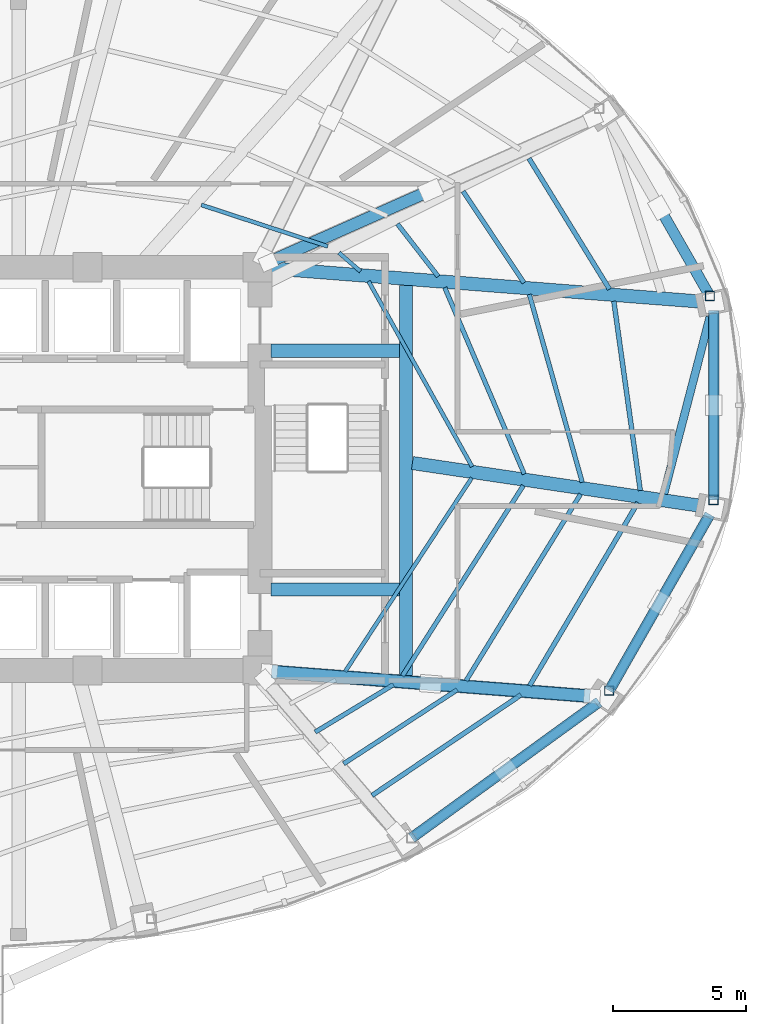
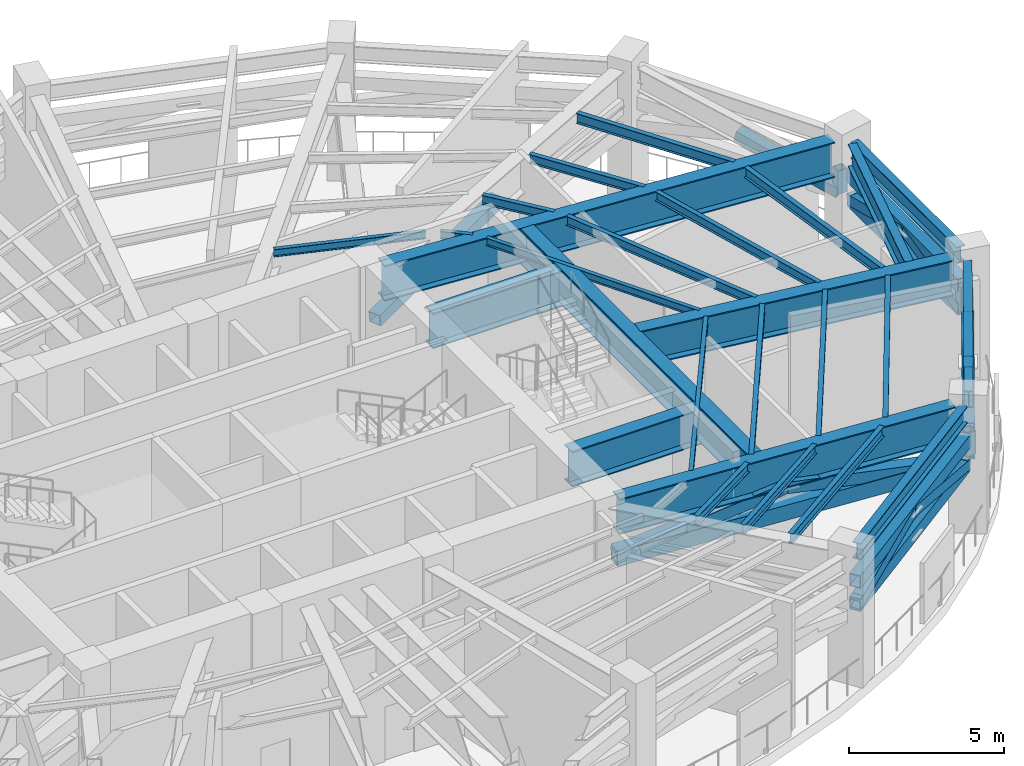
# One storey, part 4 of 14: 26 beams, 20 members.
"""IFC4 building model written with IfcOpenShell, lengths in metres."""

from ifc_helpers import new_model, si_unit, direction, frame, origin, origin_2d, place, context, subcontext, project, spatial, hollow_rectangle, i_section, extrude, material, material_profile, profile_set, type_object, element, save


model = new_model("IFC4")

# Units and contexts
model_context = context("Model", 3, precision=1e-05, world=origin(), true_north=direction((0.0, 1.0)))
body_context = subcontext(model_context, "Body", "Model", "MODEL_VIEW")
ifc_project = project(units=[si_unit("LENGTHUNIT", "METRE"), si_unit("AREAUNIT", "SQUARE_METRE"), si_unit("VOLUMEUNIT", "CUBIC_METRE"), si_unit("PLANEANGLEUNIT", "RADIAN"), si_unit("MASSUNIT", "GRAM", prefix="KILO")], contexts=[model_context])

# Site, building, storey
site_placement = place(None, origin())
site = spatial("IfcSite", under=ifc_project, at=site_placement, CompositionType="ELEMENT")
building_placement = place(site_placement, origin())
building = spatial("IfcBuilding", under=site, at=building_placement, Name="Lazwardi Medical Tower", CompositionType="ELEMENT")
storey_placement = place(building_placement, frame((0.0, 0.0, 76.27197265625)))
storey = spatial("IfcBuildingStorey", under=building, at=storey_placement, Name="L19", CompositionType="ELEMENT", Elevation=76.27197265625)

# Beams
ifc_material_1 = material(Name="Steel S460", Category="steel")
ifc_material_profile_1 = material_profile(ifc_material_1, i_section(OverallWidth=0.300048828125, OverallDepth=0.89990234375, WebThickness=0.0185546875, FlangeThickness=0.034912109375, at=origin_2d()), Name="HEB 900")
ifc_profile_set_1 = profile_set([ifc_material_profile_1], Name="Steel S460")
beam_type_1 = type_object("IfcBeamType", Name="BM-HB-01", PredefinedType="BEAM", material=ifc_profile_set_1)
beam_1_placement = place(storey_placement, frame((60.924560546875, 27.05712890625, 4.572021484375), z_axis=(0.251712176718, 0.967802138917, 0.0), x_axis=(-0.967802138917, 0.251712176718, 0.0)))
element("IfcBeam", 1, at=beam_1_placement, inside=storey, type_object=beam_type_1, Name="Transfer girder tie HB-01 M04 L19", PredefinedType="BEAM", context=body_context, shape_type="SweptSolid", body=[
    extrude(i_section(OverallWidth=0.300048828125, OverallDepth=0.89990234375, WebThickness=0.0185546875, FlangeThickness=0.034912109375, at=origin_2d()), origin(), (0.0, 0.0, 1.0), 6.890380859375),
])
ifc_material_2 = material(Name="Steel S355", Category="steel")
ifc_material_profile_2 = material_profile(ifc_material_2, i_section(OverallWidth=0.300048828125, OverallDepth=0.64990234375, WebThickness=0.01611328125, FlangeThickness=0.031005859375, at=origin_2d()), Name="HEB 650")
ifc_profile_set_2 = profile_set([ifc_material_profile_2], Name="Steel S355")
beam_type_2 = type_object("IfcBeamType", Name="BM-RB-Z1", PredefinedType="BEAM", material=ifc_profile_set_2)
beam_2_placement = place(storey_placement, frame((51.52099609375, 14.16259765625, 4.697021484375), z_axis=(0.80939338516, 0.5872668457, 0.0), x_axis=(-0.5872668457, 0.80939338516, 0.0)))
element("IfcBeam", 2, at=beam_2_placement, inside=storey, type_object=beam_type_2, Name="Ring beam RB-02 B02 L19", PredefinedType="BEAM", context=body_context, shape_type="SweptSolid", body=[
    extrude(i_section(OverallWidth=0.300048828125, OverallDepth=0.64990234375, WebThickness=0.01611328125, FlangeThickness=0.031005859375, at=origin_2d()), origin(), (0.0, 0.0, 1.0), 8.47412109375),
])
beam_3_placement = place(storey_placement, frame((58.927978515625, 19.75048828125, 4.697021484375), z_axis=(0.495829348644, 0.868419977328, 0.0), x_axis=(-0.868419977328, 0.495829348644, 0.0)))
element("IfcBeam", 3, at=beam_3_placement, inside=storey, type_object=beam_type_2, Name="Ring beam RB-02 B03 L19", PredefinedType="BEAM", context=body_context, shape_type="SweptSolid", body=[
    extrude(i_section(OverallWidth=0.300048828125, OverallDepth=0.64990234375, WebThickness=0.01611328125, FlangeThickness=0.031005859375, at=origin_2d()), origin(), (0.0, 0.0, 1.0), 7.38916015625),
])
beam_4_placement = place(storey_placement, frame((62.800048828125, 26.952392578125, 4.697021484375), z_axis=(0.0, 1.0, 0.0), x_axis=(-1.0, 0.0, 0.0)))
element("IfcBeam", 4, at=beam_4_placement, inside=storey, type_object=beam_type_2, Name="Ring beam RB-02 B04 L19", PredefinedType="BEAM", context=body_context, shape_type="SweptSolid", body=[
    extrude(i_section(OverallWidth=0.300048828125, OverallDepth=0.64990234375, WebThickness=0.01611328125, FlangeThickness=0.031005859375, at=origin_2d()), origin(), (0.0, 0.0, 1.0), 6.895263671875),
])
ifc_material_profile_3 = material_profile(ifc_material_2, i_section(OverallWidth=0.179931640625, OverallDepth=0.39990234375, WebThickness=0.008544921875, FlangeThickness=0.013427734375, at=origin_2d()), Name="IPE 400")
ifc_profile_set_3 = profile_set([ifc_material_profile_3], Name="Steel S355")
beam_type_3 = type_object("IfcBeamType", Name="BM-SJ-01", PredefinedType="JOIST", material=ifc_profile_set_3)
beam_5_placement = place(storey_placement, frame((49.92333984375, 15.685791015625, 4.822021484375), z_axis=(0.828580384616, 0.559870115499, 0.0), x_axis=(-0.559870115499, 0.828580384616, 0.0)))
element("IfcBeam", 5, at=beam_5_placement, inside=storey, type_object=beam_type_3, Name="Secondary joist SJ-01 R1 B02 L19", PredefinedType="JOIST", context=body_context, shape_type="SweptSolid", body=[
    extrude(i_section(OverallWidth=0.179931640625, OverallDepth=0.39990234375, WebThickness=0.008544921875, FlangeThickness=0.013427734375, at=origin_2d()), origin(), (0.0, 0.0, 1.0), 6.775146484375),
])
beam_6_placement = place(storey_placement, frame((55.86474609375, 19.826904296875, 4.822021484375), z_axis=(0.509025810661, 0.860751255637, 0.0), x_axis=(-0.860751255637, 0.509025810661, 0.0)))
element("IfcBeam", 6, at=beam_6_placement, inside=storey, type_object=beam_type_3, Name="Secondary joist SJ-01 R1 B03 L19", PredefinedType="JOIST", context=body_context, shape_type="SweptSolid", body=[
    extrude(i_section(OverallWidth=0.179931640625, OverallDepth=0.39990234375, WebThickness=0.008544921875, FlangeThickness=0.013427734375, at=origin_2d()), origin(), (0.0, 0.0, 1.0), 8.016357421875),
])
beam_7_placement = place(storey_placement, frame((60.0361328125, 27.180419921875, 4.822021484375), z_axis=(-0.13846181451, 0.990367773063, 0.0), x_axis=(-0.990367773063, -0.13846181451, 0.0)))
element("IfcBeam", 7, at=beam_7_placement, inside=storey, type_object=beam_type_3, Name="Secondary joist SJ-01 R1 B04 L19", PredefinedType="JOIST", context=body_context, shape_type="SweptSolid", body=[
    extrude(i_section(OverallWidth=0.179931640625, OverallDepth=0.39990234375, WebThickness=0.008544921875, FlangeThickness=0.013427734375, at=origin_2d()), origin(), (0.0, 0.0, 1.0), 7.2080078125),
])
beam_8_placement = place(storey_placement, frame((58.87548828125, 34.7705078125, 4.822021484375), z_axis=(-0.524156210231, 0.85162213879, 0.0), x_axis=(-0.85162213879, -0.524156210231, 0.0)))
element("IfcBeam", 8, at=beam_8_placement, inside=storey, type_object=beam_type_3, Name="Secondary joist SJ-01 R1 B05 L19", PredefinedType="JOIST", context=body_context, shape_type="SweptSolid", body=[
    extrude(i_section(OverallWidth=0.179931640625, OverallDepth=0.39990234375, WebThickness=0.008544921875, FlangeThickness=0.013427734375, at=origin_2d()), origin(), (0.0, 0.0, 1.0), 5.79296875),
])
ifc_material_profile_4 = material_profile(ifc_material_2, i_section(OverallWidth=0.169921875, OverallDepth=0.360107421875, WebThickness=0.008056640625, FlangeThickness=0.0126953125, at=origin_2d()), Name="IPE 360")
ifc_profile_set_4 = profile_set([ifc_material_profile_4], Name="Steel S355")
beam_type_4 = type_object("IfcBeamType", Name="BM-SJ-02", PredefinedType="JOIST", material=ifc_profile_set_4)
beam_9_placement = place(storey_placement, frame((48.851806640625, 16.882568359375, 4.842041015625), z_axis=(0.838190169756, 0.54537807008, 0.0), x_axis=(-0.54537807008, 0.838190169756, 0.0)))
element("IfcBeam", 9, at=beam_9_placement, inside=storey, type_object=beam_type_4, Name="Secondary joist SJ-02 R2 B02 L19", PredefinedType="JOIST", context=body_context, shape_type="SweptSolid", body=[
    extrude(i_section(OverallWidth=0.169921875, OverallDepth=0.360107421875, WebThickness=0.008056640625, FlangeThickness=0.0126953125, at=origin_2d()), origin(), (0.0, 0.0, 1.0), 5.107666015625),
])
beam_10_placement = place(storey_placement, frame((53.466552734375, 20.010498046875, 4.842041015625), z_axis=(0.523000112605, 0.852332612432, 0.0), x_axis=(-0.852332612432, 0.523000112605, 0.0)))
element("IfcBeam", 10, at=beam_10_placement, inside=storey, type_object=beam_type_4, Name="Secondary joist SJ-02 R2 B03 L19", PredefinedType="JOIST", context=body_context, shape_type="SweptSolid", body=[
    extrude(i_section(OverallWidth=0.169921875, OverallDepth=0.360107421875, WebThickness=0.008056640625, FlangeThickness=0.0126953125, at=origin_2d()), origin(), (0.0, 0.0, 1.0), 8.25830078125),
])
beam_11_placement = place(storey_placement, frame((57.847412109375, 27.493896484375, 4.842041015625), z_axis=(-0.271125161426, 0.962544101245, 0.0), x_axis=(-0.962544101245, -0.271125161426, 0.0)))
element("IfcBeam", 11, at=beam_11_placement, inside=storey, type_object=beam_type_4, Name="Secondary joist SJ-02 R2 B04 L19", PredefinedType="JOIST", context=body_context, shape_type="SweptSolid", body=[
    extrude(i_section(OverallWidth=0.169921875, OverallDepth=0.360107421875, WebThickness=0.008056640625, FlangeThickness=0.0126953125, at=origin_2d()), origin(), (0.0, 0.0, 1.0), 7.35693359375),
])
beam_12_placement = place(storey_placement, frame((55.650634765625, 35.014892578125, 4.842041015625), z_axis=(-0.553666521135, 0.832738484384, 0.0), x_axis=(-0.832738484384, -0.553666521135, 0.0)))
element("IfcBeam", 12, at=beam_12_placement, inside=storey, type_object=beam_type_4, Name="Secondary joist SJ-02 R2 B05 L19", PredefinedType="JOIST", context=body_context, shape_type="SweptSolid", body=[
    extrude(i_section(OverallWidth=0.169921875, OverallDepth=0.360107421875, WebThickness=0.008056640625, FlangeThickness=0.0126953125, at=origin_2d()), origin(), (0.0, 0.0, 1.0), 4.14404296875),
])
beam_13_placement = place(storey_placement, frame((47.781982421875, 18.076416015625, 4.842041015625), z_axis=(0.85528924309, 0.518150857043, 0.0), x_axis=(-0.518150857043, 0.85528924309, 0.0)))
element("IfcBeam", 13, at=beam_13_placement, inside=storey, type_object=beam_type_4, Name="Secondary joist SJ-02 R3 B02 L19", PredefinedType="JOIST", context=body_context, shape_type="SweptSolid", body=[
    extrude(i_section(OverallWidth=0.169921875, OverallDepth=0.360107421875, WebThickness=0.008056640625, FlangeThickness=0.0126953125, at=origin_2d()), origin(), (0.0, 0.0, 1.0), 3.443359375),
])
beam_14_placement = place(storey_placement, frame((51.068115234375, 20.1943359375, 4.842041015625), z_axis=(0.536089341696, 0.844161251018, 0.0), x_axis=(-0.844161251018, 0.536089341696, 0.0)))
element("IfcBeam", 14, at=beam_14_placement, inside=storey, type_object=beam_type_4, Name="Secondary joist SJ-02 R3 B03 L19", PredefinedType="JOIST", context=body_context, shape_type="SweptSolid", body=[
    extrude(i_section(OverallWidth=0.169921875, OverallDepth=0.360107421875, WebThickness=0.008056640625, FlangeThickness=0.0126953125, at=origin_2d()), origin(), (0.0, 0.0, 1.0), 8.50244140625),
])
beam_15_placement = place(storey_placement, frame((55.66162109375, 27.803955078125, 4.842041015625), z_axis=(-0.392110405945, 0.919918164594, 0.0), x_axis=(-0.919918164594, -0.392110405945, 0.0)))
element("IfcBeam", 15, at=beam_15_placement, inside=storey, type_object=beam_type_4, Name="Secondary joist SJ-02 R3 B04 L19", PredefinedType="JOIST", context=body_context, shape_type="SweptSolid", body=[
    extrude(i_section(OverallWidth=0.169921875, OverallDepth=0.360107421875, WebThickness=0.008056640625, FlangeThickness=0.0126953125, at=origin_2d()), origin(), (0.0, 0.0, 1.0), 7.642822265625),
])
beam_16_placement = place(storey_placement, frame((52.41845703125, 35.253662109375, 4.842041015625), z_axis=(-0.613455049329, 0.789729638834, 0.0), x_axis=(-0.789729638834, -0.613455049329, 0.0)))
element("IfcBeam", 16, at=beam_16_placement, inside=storey, type_object=beam_type_4, Name="Secondary joist SJ-02 R3 B05 L19", PredefinedType="JOIST", context=body_context, shape_type="SweptSolid", body=[
    extrude(i_section(OverallWidth=0.169921875, OverallDepth=0.360107421875, WebThickness=0.008056640625, FlangeThickness=0.0126953125, at=origin_2d()), origin(), (0.0, 0.0, 1.0), 2.5068359375),
])
ifc_material_profile_5 = material_profile(ifc_material_2, i_section(OverallWidth=0.14990234375, OverallDepth=0.300048828125, WebThickness=0.007080078125, FlangeThickness=0.0107421875, at=origin_2d()), Name="IPE 300")
ifc_profile_set_5 = profile_set([ifc_material_profile_5], Name="Steel S355")
beam_type_5 = type_object("IfcBeamType", Name="BM-SJ-03", PredefinedType="JOIST", material=ifc_profile_set_5)
beam_17_placement = place(storey_placement, frame((48.9091796875, 20.359619140625, 4.8720703125), z_axis=(0.547179994461, 0.837014966211, 0.0), x_axis=(-0.837014966211, 0.547179994461, 0.0)))
element("IfcBeam", 17, at=beam_17_placement, inside=storey, type_object=beam_type_5, Name="Secondary joist SJ-03 R4 B03 L19", PredefinedType="JOIST", context=body_context, shape_type="SweptSolid", body=[
    extrude(i_section(OverallWidth=0.14990234375, OverallDepth=0.300048828125, WebThickness=0.007080078125, FlangeThickness=0.0107421875, at=origin_2d()), origin(), (0.0, 0.0, 1.0), 8.72412109375),
])
beam_18_placement = place(storey_placement, frame((53.697509765625, 28.080810546875, 4.8720703125), z_axis=(-0.487735931958, 0.872991214547, 0.0), x_axis=(-0.872991214547, -0.487735931958, 0.0)))
element("IfcBeam", 18, at=beam_18_placement, inside=storey, type_object=beam_type_5, Name="Secondary joist SJ-03 R4 B04 L19", PredefinedType="JOIST", context=body_context, shape_type="SweptSolid", body=[
    extrude(i_section(OverallWidth=0.14990234375, OverallDepth=0.300048828125, WebThickness=0.007080078125, FlangeThickness=0.0107421875, at=origin_2d()), origin(), (0.0, 0.0, 1.0), 8.0068359375),
])
beam_19_placement = place(storey_placement, frame((49.487548828125, 35.44482421875, 4.8720703125), z_axis=(-0.756250796408, 0.65428184518, 0.0), x_axis=(-0.65428184518, -0.756250796408, 0.0)))
element("IfcBeam", 19, at=beam_19_placement, inside=storey, type_object=beam_type_5, Name="Secondary joist SJ-03 R4 B05 L19", PredefinedType="JOIST", context=body_context, shape_type="SweptSolid", body=[
    extrude(i_section(OverallWidth=0.14990234375, OverallDepth=0.300048828125, WebThickness=0.007080078125, FlangeThickness=0.0107421875, at=origin_2d()), origin(), (0.0, 0.0, 1.0), 1.074951171875),
])
beam_20_placement = place(storey_placement, frame((48.25634765625, 36.385009765625, 4.8720703125), z_axis=(-0.950123227602, 0.31187473827, 0.0), x_axis=(-0.31187473827, -0.950123227602, 0.0)))
element("IfcBeam", 20, at=beam_20_placement, inside=storey, type_object=beam_type_5, Name="Secondary joist SJ-03 R4 B06 L19", PredefinedType="JOIST", context=body_context, shape_type="SweptSolid", body=[
    extrude(i_section(OverallWidth=0.14990234375, OverallDepth=0.300048828125, WebThickness=0.007080078125, FlangeThickness=0.0107421875, at=origin_2d()), origin(), (0.0, 0.0, 1.0), 5.017822265625),
])
ifc_material_profile_6 = material_profile(ifc_material_1, i_section(OverallWidth=0.5, OverallDepth=1.39990234375, WebThickness=0.028076171875, FlangeThickness=0.044921875, at=origin_2d()), Name="PG 1400x500")
ifc_profile_set_6 = profile_set([ifc_material_profile_6], Name="Steel S460")
beam_type_6 = type_object("IfcBeamType", Name="BM-TG-01", PredefinedType="BEAM", material=ifc_profile_set_6)
beam_21_placement = place(storey_placement, frame((58.1416015625, 19.430419921875, 4.322021484375), z_axis=(-0.997024241118, 0.077088667283, 0.0), x_axis=(-0.077088667283, -0.997024241118, 0.0)))
element("IfcBeam", 21, at=beam_21_placement, inside=storey, type_object=beam_type_6, Name="Transfer girder TG-01 M03 L19", PredefinedType="BEAM", context=body_context, shape_type="SweptSolid", body=[
    extrude(i_section(OverallWidth=0.5, OverallDepth=1.39990234375, WebThickness=0.028076171875, FlangeThickness=0.044921875, at=origin_2d()), origin(), (0.0, 0.0, 1.0), 12.044189453125),
])
beam_22_placement = place(storey_placement, frame((62.2216796875, 34.3125, 4.322021484375), z_axis=(-0.997013942066, 0.077221754231, 0.0), x_axis=(-0.077221754231, -0.997013942066, 0.0)))
element("IfcBeam", 22, at=beam_22_placement, inside=storey, type_object=beam_type_6, Name="Transfer girder TG-01 M05 L19", PredefinedType="BEAM", context=body_context, shape_type="SweptSolid", body=[
    extrude(i_section(OverallWidth=0.5, OverallDepth=1.39990234375, WebThickness=0.028076171875, FlangeThickness=0.044921875, at=origin_2d()), origin(), (0.0, 0.0, 1.0), 16.136474609375),
])
beam_23_placement = place(storey_placement, frame((51.199951171875, 20.212158203125, 4.322021484375), z_axis=(0.0, 1.0, 0.0), x_axis=(-1.0, 0.0, 0.0)))
element("IfcBeam", 23, at=beam_23_placement, inside=storey, type_object=beam_type_6, Name="Transfer girder TG-01 ST3E L19", PredefinedType="BEAM", context=body_context, shape_type="SweptSolid", body=[
    extrude(i_section(OverallWidth=0.5, OverallDepth=1.39990234375, WebThickness=0.028076171875, FlangeThickness=0.044921875, at=origin_2d()), origin(), (0.0, 0.0, 1.0), 14.708984375),
])
for number, where, z_axis, x_axis, name in (
    (24, (46.1201171875, 23.449951171875, 4.322021484375), (1.0, 0.0, 0.0), (0.0, 1.0, 0.0), "Transfer girder TG-01 ST3S L19"),
    (25, (46.1201171875, 32.449951171875, 4.322021484375), (1.0, 0.0, 0.0), (0.0, 1.0, 0.0), "Transfer girder TG-01 ST3N L19"),
):
    element("IfcBeam", number, at=place(storey_placement, frame(where, z_axis=z_axis, x_axis=x_axis)), inside=storey, type_object=beam_type_6, Name=name, PredefinedType="BEAM", context=body_context, shape_type="SweptSolid", body=[
        extrude(i_section(OverallWidth=0.5, OverallDepth=1.39990234375, WebThickness=0.028076171875, FlangeThickness=0.044921875, at=origin_2d()), origin(), (0.0, 0.0, 1.0), 4.8349609375),
    ])
beam_24_placement = place(storey_placement, frame((62.226318359375, 26.617431640625, 4.322021484375), z_axis=(-0.989142403191, 0.146960219822, 0.0), x_axis=(-0.146960219822, -0.989142403191, 0.0)))
element("IfcBeam", 26, at=beam_24_placement, inside=storey, type_object=beam_type_6, Name="Transfer girder TG-01 M04 L19", PredefinedType="BEAM", context=body_context, shape_type="SweptSolid", body=[
    extrude(i_section(OverallWidth=0.5, OverallDepth=1.39990234375, WebThickness=0.028076171875, FlangeThickness=0.044921875, at=origin_2d()), origin(), (0.0, 0.0, 1.0), 10.899658203125),
])

# Members
ifc_material_profile_7 = material_profile(ifc_material_1, hollow_rectangle(XDim=0.39990234375, YDim=0.5, WallThickness=0.02490234375, at=origin_2d()), Name="RHS 500x400x25")
ifc_profile_set_7 = profile_set([ifc_material_profile_7], Name="Steel S460")
member_type_1 = type_object("IfcMemberType", Name="MEM-BC-01", PredefinedType="CHORD", material=ifc_profile_set_7)
for number, where, z_axis, x_axis, name in (
    (27, (51.415771484375, 14.08642578125, 2.679931640625), (0.809399182415, 0.587258855621, 0.0), (-0.587258855621, 0.809399182415, 0.0), "Belt truss bottom chord BC-01 B02 L19"),
    (28, (51.415771484375, 14.08642578125, 3.60009765625), (0.809399182415, 0.587258855621, 0.0), (-0.587258855621, 0.809399182415, 0.0), "Belt truss top chord BC-01 B02 L19"),
):
    element("IfcMember", number, at=place(storey_placement, frame(where, z_axis=z_axis, x_axis=x_axis)), inside=storey, type_object=member_type_1, Name=name, PredefinedType="CHORD", context=body_context, shape_type="SweptSolid", body=[
        extrude(hollow_rectangle(XDim=0.39990234375, YDim=0.5, WallThickness=0.02490234375, at=origin_2d()), origin(), (0.0, 0.0, 1.0), 8.734130859375),
    ])
for number, where, z_axis, x_axis, name in (
    (29, (58.86376953125, 19.6376953125, 2.679931640625), (0.495802051618, 0.868435562153, 0.0), (-0.868435562153, 0.495802051618, 0.0), "Belt truss bottom chord BC-01 B03 L19"),
    (30, (58.86376953125, 19.6376953125, 3.60009765625), (0.495802051618, 0.868435562153, 0.0), (-0.868435562153, 0.495802051618, 0.0), "Belt truss top chord BC-01 B03 L19"),
):
    element("IfcMember", number, at=place(storey_placement, frame(where, z_axis=z_axis, x_axis=x_axis)), inside=storey, type_object=member_type_1, Name=name, PredefinedType="CHORD", context=body_context, shape_type="SweptSolid", body=[
        extrude(hollow_rectangle(XDim=0.39990234375, YDim=0.5, WallThickness=0.02490234375, at=origin_2d()), origin(), (0.0, 0.0, 1.0), 7.649169921875),
    ])
for number, where, z_axis, x_axis, name in (
    (31, (62.800048828125, 26.822265625, 2.679931640625), (0.0, 1.0, 0.0), (-1.0, 0.0, 0.0), "Belt truss bottom chord BC-01 B04 L19"),
    (32, (62.800048828125, 26.822265625, 3.60009765625), (0.0, 1.0, 0.0), (-1.0, 0.0, 0.0), "Belt truss top chord BC-01 B04 L19"),
):
    element("IfcMember", number, at=place(storey_placement, frame(where, z_axis=z_axis, x_axis=x_axis)), inside=storey, type_object=member_type_1, Name=name, PredefinedType="CHORD", context=body_context, shape_type="SweptSolid", body=[
        extrude(hollow_rectangle(XDim=0.39990234375, YDim=0.5, WallThickness=0.02490234375, at=origin_2d()), origin(), (0.0, 0.0, 1.0), 7.155517578125),
    ])
ifc_material_profile_8 = material_profile(ifc_material_1, hollow_rectangle(XDim=0.39990234375, YDim=0.39990234375, WallThickness=0.02001953125, at=origin_2d()), Name="RHS 400x400x20")
ifc_profile_set_8 = profile_set([ifc_material_profile_8], Name="Steel S460")
member_type_2 = type_object("IfcMemberType", Name="MEM-BD-01", PredefinedType="BRACE", material=ifc_profile_set_8)
for number, where, z_axis, x_axis, name in (
    (33, (51.415771484375, 14.08642578125, 2.679931640625), (0.792020878496, 0.574622690132, 0.206183636625), (-0.587240542583, 0.809412469108, 0.0), "Belt truss diagonal BD-01 B02A L19"),
    (34, (58.485107421875, 19.215576171875, 2.679931640625), (-0.79199598146, -0.57465933038, 0.206177155279), (0.587277167758, -0.809385895745, 0.0), "Belt truss diagonal BD-01 B02B L19"),
):
    element("IfcMember", number, at=place(storey_placement, frame(where, z_axis=z_axis, x_axis=x_axis)), inside=storey, type_object=member_type_2, Name=name, PredefinedType="BRACE", context=body_context, shape_type="SweptSolid", body=[
        extrude(hollow_rectangle(XDim=0.39990234375, YDim=0.39990234375, WallThickness=0.02001953125, at=origin_2d()), origin(), (0.0, 0.0, 1.0), 4.462890625),
    ])
member_1_placement = place(storey_placement, frame((58.86376953125, 19.6376953125, 2.679931640625), z_axis=(0.482059417112, 0.844333244547, 0.23392325777), x_axis=(-0.868427715946, 0.495815794601, 0.0)))
element("IfcMember", 35, at=member_1_placement, inside=storey, type_object=member_type_2, Name="Belt truss diagonal BD-01 B03A L19", PredefinedType="BRACE", context=body_context, shape_type="SweptSolid", body=[
    extrude(hollow_rectangle(XDim=0.39990234375, YDim=0.39990234375, WallThickness=0.02001953125, at=origin_2d()), origin(), (0.0, 0.0, 1.0), 3.93359375),
])
member_2_placement = place(storey_placement, frame((62.65625, 26.280517578125, 2.679931640625), z_axis=(-0.482034156519, -0.844351062114, 0.233910999861), x_axis=(0.868443407706, -0.495788309273, 0.0)))
element("IfcMember", 36, at=member_2_placement, inside=storey, type_object=member_type_2, Name="Belt truss diagonal BD-01 B03B L19", PredefinedType="BRACE", context=body_context, shape_type="SweptSolid", body=[
    extrude(hollow_rectangle(XDim=0.39990234375, YDim=0.39990234375, WallThickness=0.02001953125, at=origin_2d()), origin(), (0.0, 0.0, 1.0), 3.933837890625),
])
member_3_placement = place(storey_placement, frame((62.800048828125, 26.822265625, 2.679931640625), z_axis=(0.0, 0.968479723399, 0.249092403268), x_axis=(-1.0, 0.0, 0.0)))
element("IfcMember", 37, at=member_3_placement, inside=storey, type_object=member_type_2, Name="Belt truss diagonal BD-01 B04A L19", PredefinedType="BRACE", context=body_context, shape_type="SweptSolid", body=[
    extrude(hollow_rectangle(XDim=0.39990234375, YDim=0.39990234375, WallThickness=0.02001953125, at=origin_2d()), origin(), (0.0, 0.0, 1.0), 3.694091796875),
])
member_4_placement = place(storey_placement, frame((62.800048828125, 33.977783203125, 2.679931640625), z_axis=(0.0, -0.96848382368, 0.249076460692), x_axis=(1.0, 0.0, 0.0)))
element("IfcMember", 38, at=member_4_placement, inside=storey, type_object=member_type_2, Name="Belt truss diagonal BD-01 B04B L19", PredefinedType="BRACE", context=body_context, shape_type="SweptSolid", body=[
    extrude(hollow_rectangle(XDim=0.39990234375, YDim=0.39990234375, WallThickness=0.02001953125, at=origin_2d()), origin(), (0.0, 0.0, 1.0), 3.6943359375),
])
member_5_placement = place(storey_placement, frame((62.65625, 34.51953125, 2.679931640625), z_axis=(-0.482059417112, 0.844333244547, 0.23392325777), x_axis=(-0.868427715946, -0.495815794601, 0.0)))
element("IfcMember", 39, at=member_5_placement, inside=storey, type_object=member_type_2, Name="Belt truss diagonal BD-01 B05A L19", PredefinedType="BRACE", context=body_context, shape_type="SweptSolid", body=[
    extrude(hollow_rectangle(XDim=0.39990234375, YDim=0.39990234375, WallThickness=0.02001953125, at=origin_2d()), origin(), (0.0, 0.0, 1.0), 3.93359375),
])
ifc_material_profile_9 = material_profile(ifc_material_2, hollow_rectangle(XDim=0.35009765625, YDim=0.35009765625, WallThickness=0.01611328125, at=origin_2d()), Name="RHS 350x350x16")
ifc_profile_set_9 = profile_set([ifc_material_profile_9], Name="Steel S355")
member_type_3 = type_object("IfcMemberType", Name="MEM-BV-01", PredefinedType="POST", material=ifc_profile_set_9)
for number, where, z_axis, x_axis, name in (
    (40, (58.86376953125, 19.6376953125, 2.679931640625), (0.0, 0.0, 1.0), (1.0, 0.0, 0.0), "Belt truss post BV-01 B03 L19"),
    (41, (62.800048828125, 26.822265625, 2.679931640625), (0.0, 0.0, 1.0), (1.0, 0.0, 0.0), "Belt truss post BV-01 B04 L19"),
    (42, (62.65625, 34.51953125, 2.679931640625), (0.0, 0.0, 1.0), (1.0, 0.0, 0.0), "Belt truss post BV-01 B05 L19"),
):
    element("IfcMember", number, at=place(storey_placement, frame(where, z_axis=z_axis, x_axis=x_axis)), inside=storey, type_object=member_type_3, Name=name, PredefinedType="POST", context=body_context, shape_type="SweptSolid", body=[
        extrude(hollow_rectangle(XDim=0.35009765625, YDim=0.35009765625, WallThickness=0.01611328125, at=origin_2d()), origin(), (0.0, 0.0, 1.0), 0.920166015625),
    ])
ifc_material_profile_10 = material_profile(ifc_material_1, hollow_rectangle(XDim=0.5, YDim=0.60009765625, WallThickness=0.030029296875, at=origin_2d()), Name="RHS 600x500x30")
ifc_profile_set_10 = profile_set([ifc_material_profile_10], Name="Steel S460")
member_type_4 = type_object("IfcMemberType", Name="MEM-OC-01", PredefinedType="CHORD", material=ifc_profile_set_10)
member_6_placement = place(storey_placement, frame((46.048583984375, 20.365234375, 2.679931640625), z_axis=(0.997026530333, -0.077059054051, 0.0), x_axis=(0.077059054051, 0.997026530333, 0.0)))
element("IfcMember", 43, at=member_6_placement, inside=storey, type_object=member_type_4, Name="Outrigger truss bottom chord OC-01 OR4 L19", PredefinedType="CHORD", context=body_context, shape_type="SweptSolid", body=[
    extrude(hollow_rectangle(XDim=0.5, YDim=0.60009765625, WallThickness=0.030029296875, at=origin_2d()), origin(), (0.0, 0.0, 1.0), 12.2041015625),
])
ifc_material_profile_11 = material_profile(ifc_material_1, hollow_rectangle(XDim=0.449951171875, YDim=0.449951171875, WallThickness=0.02197265625, at=origin_2d()), Name="RHS 450x450x22")
ifc_profile_set_11 = profile_set([ifc_material_profile_11], Name="Steel S460")
member_type_5 = type_object("IfcMemberType", Name="MEM-OD-01", PredefinedType="BRACE", material=ifc_profile_set_11)
member_7_placement = place(storey_placement, frame((46.048583984375, 20.365234375, 2.679931640625), z_axis=(0.985351488378, -0.076155175225, 0.152587134577), x_axis=(0.077057517103, 0.997026649121, 0.0)))
element("IfcMember", 44, at=member_7_placement, inside=storey, type_object=member_type_5, Name="Outrigger truss diagonal OD-01 OR4A L19", PredefinedType="BRACE", context=body_context, shape_type="SweptSolid", body=[
    extrude(hollow_rectangle(XDim=0.449951171875, YDim=0.449951171875, WallThickness=0.02197265625, at=origin_2d()), origin(), (0.0, 0.0, 1.0), 6.17431640625),
])
member_8_placement = place(storey_placement, frame((58.21630859375, 19.4248046875, 2.679931640625), z_axis=(-0.985350338373, 0.07615814245, 0.15259307981), x_axis=(-0.07706059106, -0.997026411539, 0.0)))
element("IfcMember", 45, at=member_8_placement, inside=storey, type_object=member_type_5, Name="Outrigger truss diagonal OD-01 OR4B L19", PredefinedType="BRACE", context=body_context, shape_type="SweptSolid", body=[
    extrude(hollow_rectangle(XDim=0.449951171875, YDim=0.449951171875, WallThickness=0.02197265625, at=origin_2d()), origin(), (0.0, 0.0, 1.0), 6.174072265625),
])
member_9_placement = place(storey_placement, frame((46.011474609375, 35.7822265625, 2.679931640625), z_axis=(0.905724348803, 0.401420671476, 0.136106019323), x_axis=(-0.405191268978, 0.914231937499, 0.0)))
element("IfcMember", 46, at=member_9_placement, inside=storey, type_object=member_type_5, Name="Outrigger truss diagonal OD-01 OR5A L19", PredefinedType="BRACE", context=body_context, shape_type="SweptSolid", body=[
    extrude(hollow_rectangle(XDim=0.449951171875, YDim=0.449951171875, WallThickness=0.02197265625, at=origin_2d()), origin(), (0.0, 0.0, 1.0), 6.7607421875),
])

save(model, "model.ifc")
